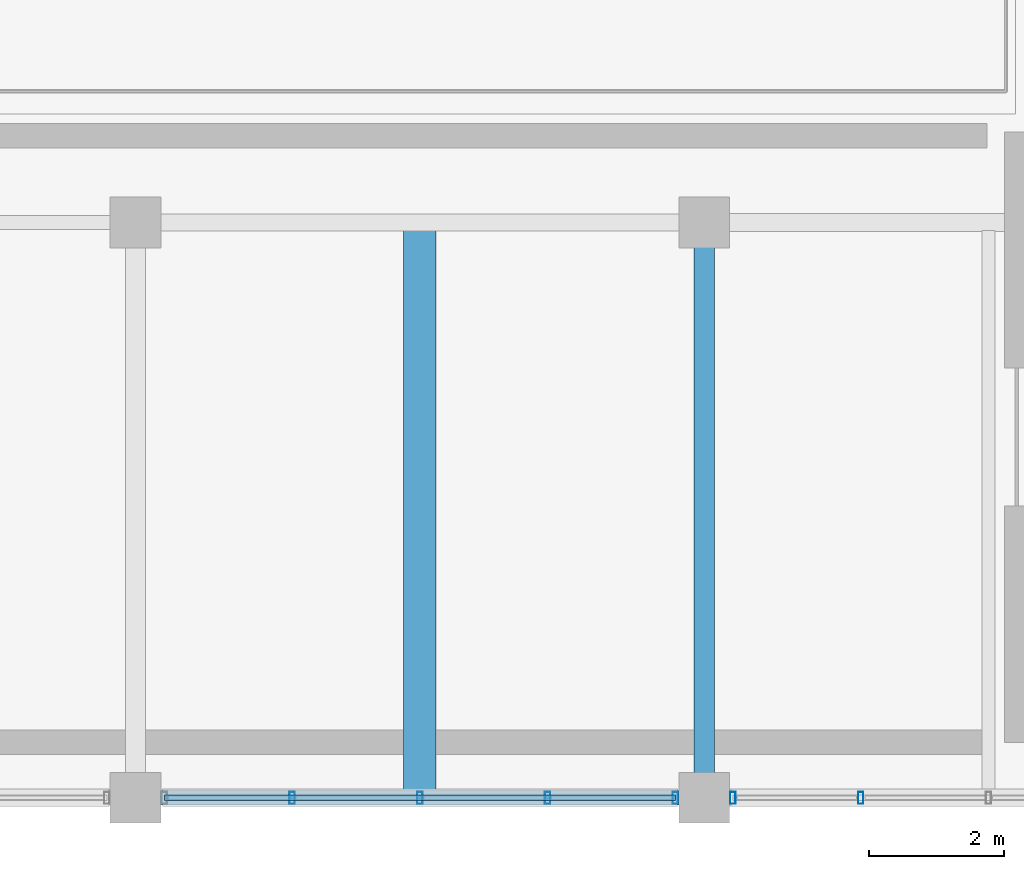
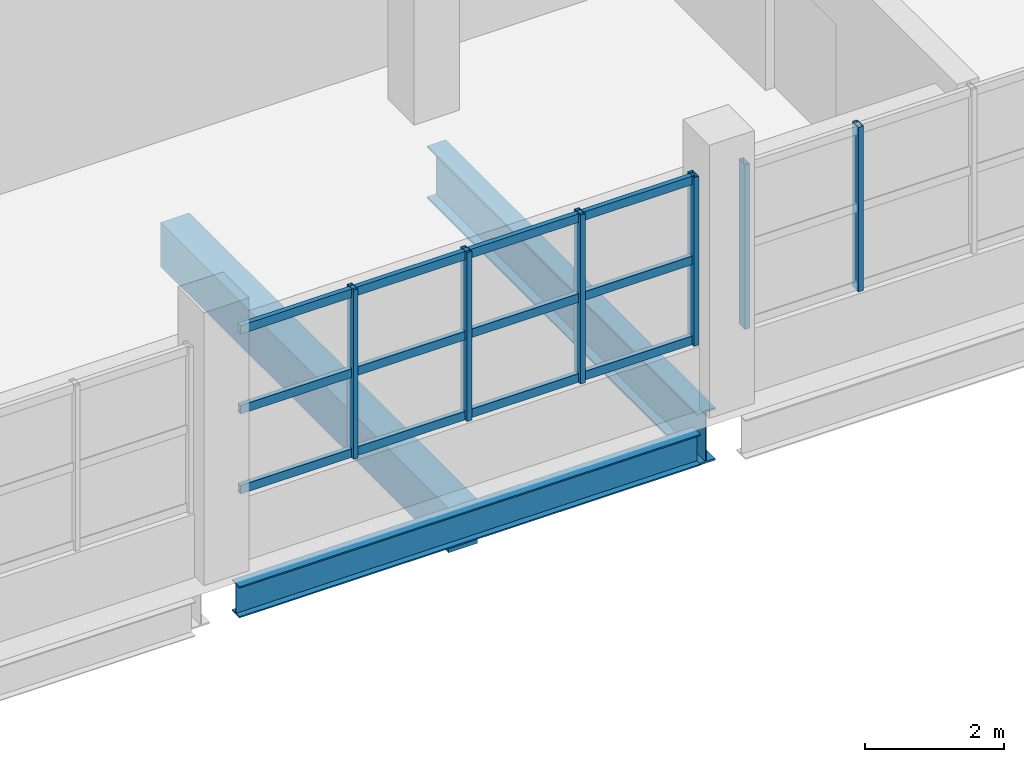
# One storey, part 32 of 77: 9 members, 3 beams, 2 elements without a shape of their own.
"""IFC4 building model written with IfcOpenShell, lengths in metres."""

from ifc_helpers import new_model, si_unit, direction, frame, origin, origin_2d, place, context, subcontext, project, spatial, rectangle, hollow_rectangle, i_section, extrude, material, material_profile, profile_set, type_object, element, aggregate, save


model = new_model("IFC4")

# Units and contexts
model_context = context("Model", 3, precision=1e-05, world=origin(), true_north=direction((0.0, 1.0)))
body_context = subcontext(model_context, "Body", "Model", "MODEL_VIEW")
ifc_project = project(units=[si_unit("LENGTHUNIT", "METRE"), si_unit("AREAUNIT", "SQUARE_METRE"), si_unit("VOLUMEUNIT", "CUBIC_METRE"), si_unit("PLANEANGLEUNIT", "RADIAN"), si_unit("MASSUNIT", "GRAM", prefix="KILO")], contexts=[model_context])

# Site, building, storey
site_placement = place(None, origin())
site = spatial("IfcSite", under=ifc_project, at=site_placement, CompositionType="ELEMENT")
building_placement = place(site_placement, origin())
building = spatial("IfcBuilding", under=site, at=building_placement, Name="Solvento Point Concert Hall", CompositionType="ELEMENT")
storey_placement = place(building_placement, frame((0.0, 0.0, 10.199951171875)))
storey = spatial("IfcBuildingStorey", under=building, at=storey_placement, Name="L02", CompositionType="ELEMENT", Elevation=10.199951171875)

# Beams
ifc_material_1 = material(Name="Concrete C35/45", Category="concrete")
ifc_material_profile_1 = material_profile(ifc_material_1, rectangle(XDim=0.47998046875, YDim=0.780029296875, at=origin_2d()), Name="RC-BM-480X780")
ifc_profile_set_1 = profile_set([ifc_material_profile_1], Name="Concrete C35/45")
beam_type_1 = type_object("IfcBeamType", Name="Beam_RC_480x780", PredefinedType="BEAM", material=ifc_profile_set_1)
beam_1_placement = place(storey_placement, frame((179.39990234375, 0.092041015625, -0.833984375), z_axis=(0.0, 1.0, 0.0), x_axis=(-1.0, 0.0, 0.0)))
element("IfcBeam", 1, at=beam_1_placement, inside=storey, type_object=beam_type_1, Name="Secondary floor joist B-74 L02", PredefinedType="BEAM", context=body_context, shape_type="SweptSolid", body=[
    extrude(rectangle(XDim=0.47998046875, YDim=0.780029296875, at=origin_2d()), origin(), (0.0, 0.0, 1.0), 8.294921875),
])
ifc_material_2 = material(Name="Structural Steel ASTM A992 Grade 50", Category="steel")
ifc_material_profile_2 = material_profile(ifc_material_2, i_section(OverallWidth=0.214111328125, OverallDepth=0.549072265625, WebThickness=0.0146484375, FlangeThickness=0.023681640625, at=origin_2d()), Name="W21X93")
ifc_profile_set_2 = profile_set([ifc_material_profile_2], Name="Structural Steel ASTM A992 Grade 50")
beam_type_2 = type_object("IfcBeamType", Name="Beam_W21X93", PredefinedType="BEAM", material=ifc_profile_set_2)
beam_2_placement = place(storey_placement, frame((175.569091796875, 0.0, -0.718505859375), z_axis=(1.0, 0.0, 0.0), x_axis=(0.0, 1.0, 0.0)))
element("IfcBeam", 2, at=beam_2_placement, inside=storey, type_object=beam_type_2, Name="Primary girder B-48 L02", PredefinedType="BEAM", context=body_context, shape_type="SweptSolid", body=[
    extrude(i_section(OverallWidth=0.214111328125, OverallDepth=0.549072265625, WebThickness=0.0146484375, FlangeThickness=0.023681640625, at=origin_2d()), origin(), (0.0, 0.0, 1.0), 7.661865234375),
])
ifc_material_3 = material(Name="Structural Steel ASTM A992 Grade 50", Category="steel")
ifc_material_profile_3 = material_profile(ifc_material_3, i_section(OverallWidth=0.3076171875, OverallDepth=0.927001953125, WebThickness=0.019287109375, FlangeThickness=0.031982421875, at=origin_2d()), Name="W36X194")
ifc_profile_set_3 = profile_set([ifc_material_profile_3], Name="Structural Steel ASTM A992 Grade 50")
beam_type_3 = type_object("IfcBeamType", Name="Girder_W36X194", PredefinedType="USERDEFINED", material=ifc_profile_set_3)
beam_3_placement = place(storey_placement, frame((183.60009765625, 0.368896484375, -0.907470703125), z_axis=(0.0, 1.0, 0.0), x_axis=(-1.0, 0.0, 0.0)))
element("IfcBeam", 3, at=beam_3_placement, inside=storey, type_object=beam_type_3, Name="Primary girder B-61 L02", ObjectType="GIRDER", PredefinedType="USERDEFINED", context=body_context, shape_type="SweptSolid", body=[
    extrude(i_section(OverallWidth=0.3076171875, OverallDepth=0.927001953125, WebThickness=0.019287109375, FlangeThickness=0.031982421875, at=origin_2d()), origin(), (0.0, 0.0, 1.0), 7.76220703125),
])

# Curtain wall, members
ifc_material_4 = material(Name="Anodized Bronze Aluminium", Category="aluminium")
curtain_wall_type = type_object("IfcCurtainWallType", Name="CurtainWall_ChamberCircle", PredefinedType="USERDEFINED", material=ifc_material_4)
curtain_wall_1_placement = place(storey_placement, origin())
curtain_wall_1 = element("IfcCurtainWall", 4, at=curtain_wall_1_placement, inside=storey, type_object=curtain_wall_type, Name="Unitised curtain wall CW-32 UCW-L02-158", ObjectType="UNITISED CURTAIN WALL", PredefinedType="USERDEFINED")
ifc_material_5 = material(Name="Anodized Bronze Aluminium", Category="aluminium")
ifc_material_profile_4 = material_profile(ifc_material_5, hollow_rectangle(XDim=0.080078125, YDim=0.179931640625, WallThickness=0.00390625, at=origin_2d()), Name="CW-MUL-80X180")
ifc_profile_set_4 = profile_set([ifc_material_profile_4], Name="Anodized Bronze Aluminium")
member_type_1 = type_object("IfcMemberType", Name="Mullion_80x180", PredefinedType="MULLION", material=ifc_profile_set_4)
member_1_placement = place(storey_placement, frame((177.512451171875, 0.0, 1.1201171875), z_axis=(0.0, 0.0, 1.0), x_axis=(1.0, 0.0, 0.0)))
member_1 = element("IfcMember", 5, at=member_1_placement, type_object=member_type_1, Name="Curtain wall mullion ML-01", PredefinedType="MULLION", context=body_context, shape_type="SweptSolid", body=[
    extrude(hollow_rectangle(XDim=0.080078125, YDim=0.179931640625, WallThickness=0.00390625, at=origin_2d()), origin(), (0.0, 0.0, 1.0), 2.970947265625),
])
member_2_placement = place(storey_placement, frame((179.39990234375, 0.0, 1.1201171875), z_axis=(0.0, 0.0, 1.0), x_axis=(1.0, 0.0, 0.0)))
member_2 = element("IfcMember", 6, at=member_2_placement, type_object=member_type_1, Name="Curtain wall mullion ML-01", PredefinedType="MULLION", context=body_context, shape_type="SweptSolid", body=[
    extrude(hollow_rectangle(XDim=0.080078125, YDim=0.179931640625, WallThickness=0.00390625, at=origin_2d()), origin(), (0.0, 0.0, 1.0), 2.970947265625),
])
member_3_placement = place(storey_placement, frame((181.28759765625, 0.0, 1.1201171875), z_axis=(0.0, 0.0, 1.0), x_axis=(1.0, 0.0, 0.0)))
member_3 = element("IfcMember", 7, at=member_3_placement, type_object=member_type_1, Name="Curtain wall mullion ML-01", PredefinedType="MULLION", context=body_context, shape_type="SweptSolid", body=[
    extrude(hollow_rectangle(XDim=0.080078125, YDim=0.179931640625, WallThickness=0.00390625, at=origin_2d()), origin(), (0.0, 0.0, 1.0), 2.970947265625),
])
member_4_placement = place(storey_placement, frame((183.175048828125, 0.0, 1.1201171875), z_axis=(0.0, 0.0, 1.0), x_axis=(1.0, 0.0, 0.0)))
member_4 = element("IfcMember", 8, at=member_4_placement, type_object=member_type_1, Name="Curtain wall mullion ML-01", PredefinedType="MULLION", context=body_context, shape_type="SweptSolid", body=[
    extrude(hollow_rectangle(XDim=0.080078125, YDim=0.179931640625, WallThickness=0.00390625, at=origin_2d()), origin(), (0.0, 0.0, 1.0), 2.970947265625),
])

curtain_wall_2_placement = place(storey_placement, origin())
curtain_wall_2 = element("IfcCurtainWall", 9, at=curtain_wall_2_placement, inside=storey, type_object=curtain_wall_type, Name="Unitised curtain wall CW-32 UCW-L02-159", ObjectType="UNITISED CURTAIN WALL", PredefinedType="USERDEFINED")
member_5_placement = place(storey_placement, frame((184.02490234375, 0.0, 1.1201171875), z_axis=(0.0, 0.0, 1.0), x_axis=(1.0, 0.0, 0.0)))
member_5 = element("IfcMember", 10, at=member_5_placement, type_object=member_type_1, Name="Curtain wall mullion ML-01", PredefinedType="MULLION", context=body_context, shape_type="SweptSolid", body=[
    extrude(hollow_rectangle(XDim=0.080078125, YDim=0.179931640625, WallThickness=0.00390625, at=origin_2d()), origin(), (0.0, 0.0, 1.0), 2.89404296875),
])
member_6_placement = place(storey_placement, frame((185.91259765625, 0.0, 1.1201171875), z_axis=(0.0, 0.0, 1.0), x_axis=(1.0, 0.0, 0.0)))
member_6 = element("IfcMember", 11, at=member_6_placement, type_object=member_type_1, Name="Curtain wall mullion ML-01", PredefinedType="MULLION", context=body_context, shape_type="SweptSolid", body=[
    extrude(hollow_rectangle(XDim=0.080078125, YDim=0.179931640625, WallThickness=0.00390625, at=origin_2d()), origin(), (0.0, 0.0, 1.0), 2.89404296875),
])
aggregate(curtain_wall_2, [member_5, member_6])

# Member
ifc_material_6 = material(Name="Anodized Bronze Aluminium", Category="aluminium")
ifc_material_profile_5 = material_profile(ifc_material_6, hollow_rectangle(XDim=0.080078125, YDim=0.14990234375, WallThickness=0.00390625, at=origin_2d()), Name="CW-TRN-80X150")
ifc_profile_set_5 = profile_set([ifc_material_profile_5], Name="Anodized Bronze Aluminium")
member_type_2 = type_object("IfcMemberType", Name="Transom_80x150", PredefinedType="USERDEFINED", material=ifc_profile_set_5)
member_7_placement = place(storey_placement, frame((175.625, 0.0, 1.199951171875), z_axis=(1.0, 0.0, 0.0), x_axis=(0.0, 1.0, 0.0)))
member_7 = element("IfcMember", 12, at=member_7_placement, type_object=member_type_2, Name="Curtain wall transom TR-01", ObjectType="TRANSOM", PredefinedType="USERDEFINED", context=body_context, shape_type="SweptSolid", body=[
    extrude(hollow_rectangle(XDim=0.080078125, YDim=0.14990234375, WallThickness=0.00390625, at=origin_2d()), origin(), (0.0, 0.0, 1.0), 7.550048828125),
])

member_8_placement = place(storey_placement, frame((175.625, 0.0, 2.60546875), z_axis=(1.0, 0.0, 0.0), x_axis=(0.0, 1.0, 0.0)))
member_8 = element("IfcMember", 13, at=member_8_placement, type_object=member_type_2, Name="Curtain wall transom TR-01", ObjectType="TRANSOM", PredefinedType="USERDEFINED", context=body_context, shape_type="SweptSolid", body=[
    extrude(hollow_rectangle(XDim=0.080078125, YDim=0.14990234375, WallThickness=0.00390625, at=origin_2d()), origin(), (0.0, 0.0, 1.0), 7.550048828125),
])

member_9_placement = place(storey_placement, frame((175.625, 0.0, 4.010986328125), z_axis=(1.0, 0.0, 0.0), x_axis=(0.0, 1.0, 0.0)))
member_9 = element("IfcMember", 14, at=member_9_placement, type_object=member_type_2, Name="Curtain wall transom TR-01", ObjectType="TRANSOM", PredefinedType="USERDEFINED", context=body_context, shape_type="SweptSolid", body=[
    extrude(hollow_rectangle(XDim=0.080078125, YDim=0.14990234375, WallThickness=0.00390625, at=origin_2d()), origin(), (0.0, 0.0, 1.0), 7.550048828125),
])

aggregate(curtain_wall_1, [member_1, member_2, member_3, member_4, member_7, member_8, member_9])

save(model, "model.ifc")
